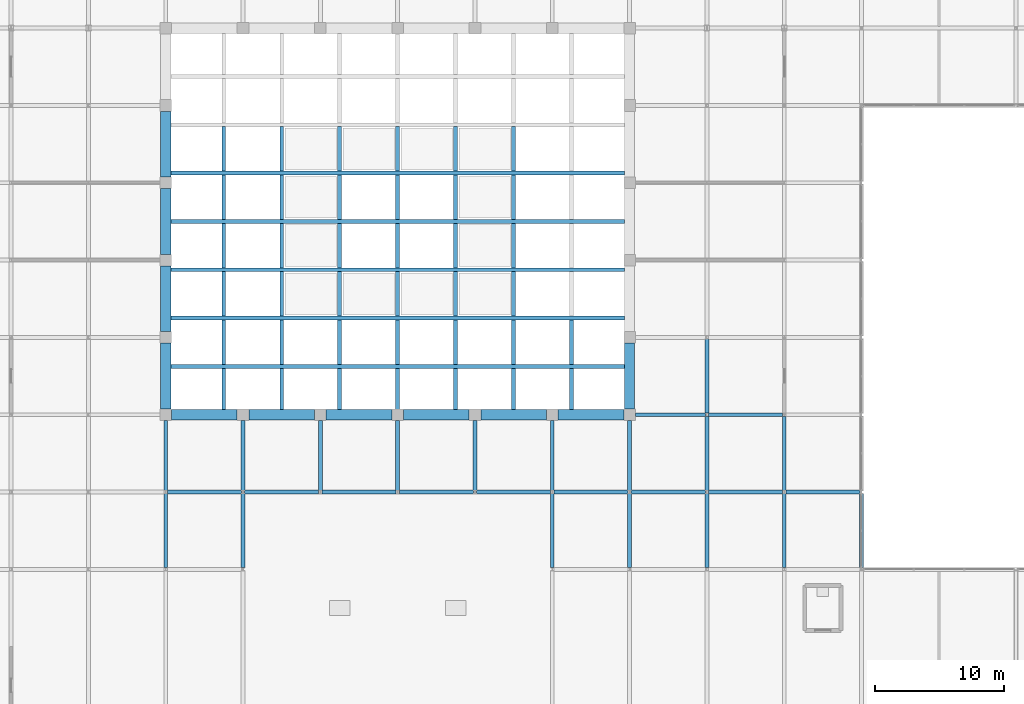
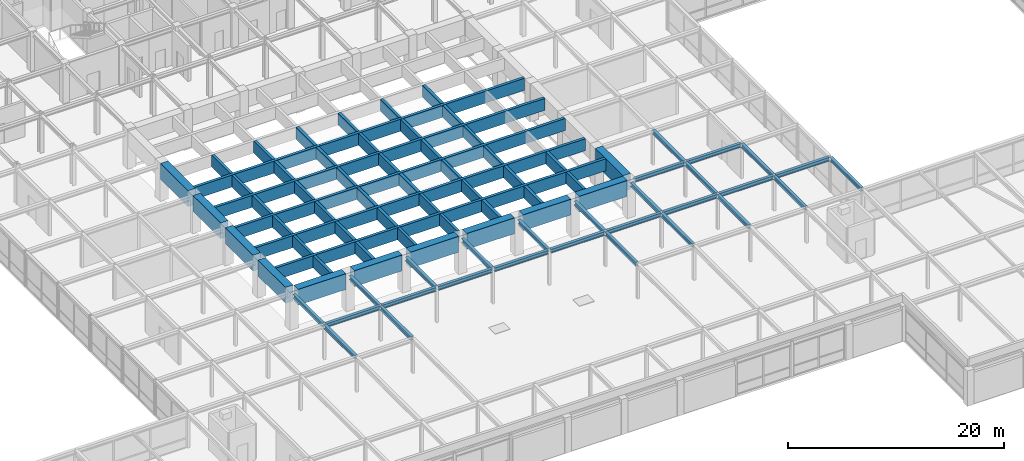
# One storey, part 64 of 111: 82 beams.
"""IFC4 building model written with IfcOpenShell, lengths in metres."""

from ifc_helpers import new_model, si_unit, direction, frame, origin, origin_2d, place, context, subcontext, project, spatial, rectangle, i_section, extrude, material, material_profile, profile_set, type_object, element, save


model = new_model("IFC4")

# Units and contexts
model_context = context("Model", 3, precision=1e-05, world=origin(), true_north=direction((0.0, 1.0)))
body_context = subcontext(model_context, "Body", "Model", "MODEL_VIEW")
ifc_project = project(units=[si_unit("LENGTHUNIT", "METRE"), si_unit("AREAUNIT", "SQUARE_METRE"), si_unit("VOLUMEUNIT", "CUBIC_METRE"), si_unit("PLANEANGLEUNIT", "RADIAN"), si_unit("MASSUNIT", "GRAM", prefix="KILO")], contexts=[model_context])

# Site, building, storey
site_placement = place(None, origin())
site = spatial("IfcSite", under=ifc_project, at=site_placement, CompositionType="ELEMENT")
building_placement = place(site_placement, origin())
building = spatial("IfcBuilding", under=site, at=building_placement, Name="Zlatovratsky Civic Hall", CompositionType="ELEMENT")
storey_placement = place(building_placement, frame((0.0, 0.0, 16.5)))
storey = spatial("IfcBuildingStorey", under=building, at=storey_placement, Name="L04", CompositionType="ELEMENT", Elevation=16.5)

# Beams
ifc_material_1 = material(Name="Concrete C35/45 (B40)", Category="concrete")
ifc_material_profile_1 = material_profile(ifc_material_1, rectangle(XDim=0.300048828125, YDim=1.35009765625, at=origin_2d()), Name="RC 300x1350")
ifc_profile_set_1 = profile_set([ifc_material_profile_1], Name="Concrete C35/45 (B40)")
beam_type_1 = type_object("IfcBeamType", Name="Beam_ChamberCofferRib_RC300x1350", PredefinedType="BEAM", material=ifc_profile_set_1)
for number, where, z_axis, x_axis, name in (
    (1, (66.39990234375, 45.75, 3.625), (1.0, 0.0, 0.0), (0.0, 1.0, 0.0), "BM-5331"),
    (2, (66.39990234375, 49.5, 3.625), (1.0, 0.0, 0.0), (0.0, 1.0, 0.0), "BM-5332"),
    (3, (66.39990234375, 53.25, 3.625), (1.0, 0.0, 0.0), (0.0, 1.0, 0.0), "BM-5333"),
    (4, (66.39990234375, 57.0, 3.625), (1.0, 0.0, 0.0), (0.0, 1.0, 0.0), "BM-5334"),
    (5, (66.39990234375, 60.75, 3.625), (1.0, 0.0, 0.0), (0.0, 1.0, 0.0), "BM-5335"),
):
    element("IfcBeam", number, at=place(storey_placement, frame(where, z_axis=z_axis, x_axis=x_axis)), inside=storey, type_object=beam_type_1, Name=name, PredefinedType="BEAM", context=body_context, shape_type="SweptSolid", body=[
        extrude(rectangle(XDim=0.300048828125, YDim=1.35009765625, at=origin_2d()), origin(), (0.0, 0.0, 1.0), 35.2001953125),
    ])
beam_1_placement = place(storey_placement, frame((70.5, 42.39990234375, 3.625), z_axis=(0.0, 1.0, 0.0), x_axis=(-1.0, 0.0, 0.0)))
element("IfcBeam", 6, at=beam_1_placement, inside=storey, type_object=beam_type_1, Name="BM-5338", PredefinedType="BEAM", context=body_context, shape_type="SweptSolid", body=[
    extrude(rectangle(XDim=0.300048828125, YDim=1.35009765625, at=origin_2d()), origin(), (0.0, 0.0, 1.0), 3.2001953125),
])
for number, where, z_axis, x_axis, name in (
    (7, (70.5, 45.89990234375, 3.625), (0.0, 1.0, 0.0), (-1.0, 0.0, 0.0), "BM-5339"),
    (8, (70.5, 49.64990234375, 3.625), (0.0, 1.0, 0.0), (-1.0, 0.0, 0.0), "BM-5340"),
    (9, (70.5, 53.39990234375, 3.625), (0.0, 1.0, 0.0), (-1.0, 0.0, 0.0), "BM-5341"),
    (10, (70.5, 57.14990234375, 3.625), (0.0, 1.0, 0.0), (-1.0, 0.0, 0.0), "BM-5342"),
    (11, (70.5, 60.89990234375, 3.625), (0.0, 1.0, 0.0), (-1.0, 0.0, 0.0), "BM-5343"),
):
    element("IfcBeam", number, at=place(storey_placement, frame(where, z_axis=z_axis, x_axis=x_axis)), inside=storey, type_object=beam_type_1, Name=name, PredefinedType="BEAM", context=body_context, shape_type="SweptSolid", body=[
        extrude(rectangle(XDim=0.300048828125, YDim=1.35009765625, at=origin_2d()), origin(), (0.0, 0.0, 1.0), 3.4501953125),
    ])
beam_2_placement = place(storey_placement, frame((75.0, 42.39990234375, 3.625), z_axis=(0.0, 1.0, 0.0), x_axis=(-1.0, 0.0, 0.0)))
element("IfcBeam", 12, at=beam_2_placement, inside=storey, type_object=beam_type_1, Name="BM-5346", PredefinedType="BEAM", context=body_context, shape_type="SweptSolid", body=[
    extrude(rectangle(XDim=0.300048828125, YDim=1.35009765625, at=origin_2d()), origin(), (0.0, 0.0, 1.0), 3.2001953125),
])
for number, where, z_axis, x_axis, name in (
    (13, (75.0, 45.89990234375, 3.625), (0.0, 1.0, 0.0), (-1.0, 0.0, 0.0), "BM-5347"),
    (14, (75.0, 49.64990234375, 3.625), (0.0, 1.0, 0.0), (-1.0, 0.0, 0.0), "BM-5348"),
    (15, (75.0, 53.39990234375, 3.625), (0.0, 1.0, 0.0), (-1.0, 0.0, 0.0), "BM-5349"),
    (16, (75.0, 57.14990234375, 3.625), (0.0, 1.0, 0.0), (-1.0, 0.0, 0.0), "BM-5350"),
    (17, (75.0, 60.89990234375, 3.625), (0.0, 1.0, 0.0), (-1.0, 0.0, 0.0), "BM-5351"),
):
    element("IfcBeam", number, at=place(storey_placement, frame(where, z_axis=z_axis, x_axis=x_axis)), inside=storey, type_object=beam_type_1, Name=name, PredefinedType="BEAM", context=body_context, shape_type="SweptSolid", body=[
        extrude(rectangle(XDim=0.300048828125, YDim=1.35009765625, at=origin_2d()), origin(), (0.0, 0.0, 1.0), 3.4501953125),
    ])
beam_3_placement = place(storey_placement, frame((79.5, 42.39990234375, 3.625), z_axis=(0.0, 1.0, 0.0), x_axis=(-1.0, 0.0, 0.0)))
element("IfcBeam", 18, at=beam_3_placement, inside=storey, type_object=beam_type_1, Name="BM-5354", PredefinedType="BEAM", context=body_context, shape_type="SweptSolid", body=[
    extrude(rectangle(XDim=0.300048828125, YDim=1.35009765625, at=origin_2d()), origin(), (0.0, 0.0, 1.0), 3.2001953125),
])
for number, where, z_axis, x_axis, name in (
    (19, (79.5, 45.89990234375, 3.625), (0.0, 1.0, 0.0), (-1.0, 0.0, 0.0), "BM-5355"),
    (20, (79.5, 49.64990234375, 3.625), (0.0, 1.0, 0.0), (-1.0, 0.0, 0.0), "BM-5356"),
    (21, (79.5, 53.39990234375, 3.625), (0.0, 1.0, 0.0), (-1.0, 0.0, 0.0), "BM-5357"),
    (22, (79.5, 57.14990234375, 3.625), (0.0, 1.0, 0.0), (-1.0, 0.0, 0.0), "BM-5358"),
    (23, (79.5, 60.89990234375, 3.625), (0.0, 1.0, 0.0), (-1.0, 0.0, 0.0), "BM-5359"),
):
    element("IfcBeam", number, at=place(storey_placement, frame(where, z_axis=z_axis, x_axis=x_axis)), inside=storey, type_object=beam_type_1, Name=name, PredefinedType="BEAM", context=body_context, shape_type="SweptSolid", body=[
        extrude(rectangle(XDim=0.300048828125, YDim=1.35009765625, at=origin_2d()), origin(), (0.0, 0.0, 1.0), 3.4501953125),
    ])
beam_4_placement = place(storey_placement, frame((84.0, 42.39990234375, 3.625), z_axis=(0.0, 1.0, 0.0), x_axis=(-1.0, 0.0, 0.0)))
element("IfcBeam", 24, at=beam_4_placement, inside=storey, type_object=beam_type_1, Name="BM-5362", PredefinedType="BEAM", context=body_context, shape_type="SweptSolid", body=[
    extrude(rectangle(XDim=0.300048828125, YDim=1.35009765625, at=origin_2d()), origin(), (0.0, 0.0, 1.0), 3.2001953125),
])
for number, where, z_axis, x_axis, name in (
    (25, (84.0, 45.89990234375, 3.625), (0.0, 1.0, 0.0), (-1.0, 0.0, 0.0), "BM-5363"),
    (26, (84.0, 49.64990234375, 3.625), (0.0, 1.0, 0.0), (-1.0, 0.0, 0.0), "BM-5364"),
    (27, (84.0, 53.39990234375, 3.625), (0.0, 1.0, 0.0), (-1.0, 0.0, 0.0), "BM-5365"),
    (28, (84.0, 57.14990234375, 3.625), (0.0, 1.0, 0.0), (-1.0, 0.0, 0.0), "BM-5366"),
    (29, (84.0, 60.89990234375, 3.625), (0.0, 1.0, 0.0), (-1.0, 0.0, 0.0), "BM-5367"),
):
    element("IfcBeam", number, at=place(storey_placement, frame(where, z_axis=z_axis, x_axis=x_axis)), inside=storey, type_object=beam_type_1, Name=name, PredefinedType="BEAM", context=body_context, shape_type="SweptSolid", body=[
        extrude(rectangle(XDim=0.300048828125, YDim=1.35009765625, at=origin_2d()), origin(), (0.0, 0.0, 1.0), 3.4501953125),
    ])
beam_5_placement = place(storey_placement, frame((88.5, 42.39990234375, 3.625), z_axis=(0.0, 1.0, 0.0), x_axis=(-1.0, 0.0, 0.0)))
element("IfcBeam", 30, at=beam_5_placement, inside=storey, type_object=beam_type_1, Name="BM-5370", PredefinedType="BEAM", context=body_context, shape_type="SweptSolid", body=[
    extrude(rectangle(XDim=0.300048828125, YDim=1.35009765625, at=origin_2d()), origin(), (0.0, 0.0, 1.0), 3.2001953125),
])
for number, where, z_axis, x_axis, name in (
    (31, (88.5, 45.89990234375, 3.625), (0.0, 1.0, 0.0), (-1.0, 0.0, 0.0), "BM-5371"),
    (32, (88.5, 49.64990234375, 3.625), (0.0, 1.0, 0.0), (-1.0, 0.0, 0.0), "BM-5372"),
    (33, (88.5, 53.39990234375, 3.625), (0.0, 1.0, 0.0), (-1.0, 0.0, 0.0), "BM-5373"),
    (34, (88.5, 57.14990234375, 3.625), (0.0, 1.0, 0.0), (-1.0, 0.0, 0.0), "BM-5374"),
    (35, (88.5, 60.89990234375, 3.625), (0.0, 1.0, 0.0), (-1.0, 0.0, 0.0), "BM-5375"),
):
    element("IfcBeam", number, at=place(storey_placement, frame(where, z_axis=z_axis, x_axis=x_axis)), inside=storey, type_object=beam_type_1, Name=name, PredefinedType="BEAM", context=body_context, shape_type="SweptSolid", body=[
        extrude(rectangle(XDim=0.300048828125, YDim=1.35009765625, at=origin_2d()), origin(), (0.0, 0.0, 1.0), 3.4501953125),
    ])
beam_6_placement = place(storey_placement, frame((93.0, 42.39990234375, 3.625), z_axis=(0.0, 1.0, 0.0), x_axis=(-1.0, 0.0, 0.0)))
element("IfcBeam", 36, at=beam_6_placement, inside=storey, type_object=beam_type_1, Name="BM-5378", PredefinedType="BEAM", context=body_context, shape_type="SweptSolid", body=[
    extrude(rectangle(XDim=0.300048828125, YDim=1.35009765625, at=origin_2d()), origin(), (0.0, 0.0, 1.0), 3.2001953125),
])
for number, where, z_axis, x_axis, name in (
    (37, (93.0, 45.89990234375, 3.625), (0.0, 1.0, 0.0), (-1.0, 0.0, 0.0), "BM-5379"),
    (38, (93.0, 49.64990234375, 3.625), (0.0, 1.0, 0.0), (-1.0, 0.0, 0.0), "BM-5380"),
    (39, (93.0, 53.39990234375, 3.625), (0.0, 1.0, 0.0), (-1.0, 0.0, 0.0), "BM-5381"),
    (40, (93.0, 57.14990234375, 3.625), (0.0, 1.0, 0.0), (-1.0, 0.0, 0.0), "BM-5382"),
    (41, (93.0, 60.89990234375, 3.625), (0.0, 1.0, 0.0), (-1.0, 0.0, 0.0), "BM-5383"),
):
    element("IfcBeam", number, at=place(storey_placement, frame(where, z_axis=z_axis, x_axis=x_axis)), inside=storey, type_object=beam_type_1, Name=name, PredefinedType="BEAM", context=body_context, shape_type="SweptSolid", body=[
        extrude(rectangle(XDim=0.300048828125, YDim=1.35009765625, at=origin_2d()), origin(), (0.0, 0.0, 1.0), 3.4501953125),
    ])
beam_7_placement = place(storey_placement, frame((97.5, 42.39990234375, 3.625), z_axis=(0.0, 1.0, 0.0), x_axis=(-1.0, 0.0, 0.0)))
element("IfcBeam", 42, at=beam_7_placement, inside=storey, type_object=beam_type_1, Name="BM-5386", PredefinedType="BEAM", context=body_context, shape_type="SweptSolid", body=[
    extrude(rectangle(XDim=0.300048828125, YDim=1.35009765625, at=origin_2d()), origin(), (0.0, 0.0, 1.0), 3.2001953125),
])
beam_8_placement = place(storey_placement, frame((97.5, 45.89990234375, 3.625), z_axis=(0.0, 1.0, 0.0), x_axis=(-1.0, 0.0, 0.0)))
element("IfcBeam", 43, at=beam_8_placement, inside=storey, type_object=beam_type_1, Name="BM-5387", PredefinedType="BEAM", context=body_context, shape_type="SweptSolid", body=[
    extrude(rectangle(XDim=0.300048828125, YDim=1.35009765625, at=origin_2d()), origin(), (0.0, 0.0, 1.0), 3.4501953125),
])
ifc_material_profile_2 = material_profile(ifc_material_1, rectangle(XDim=0.800048828125, YDim=1.800048828125, at=origin_2d()), Name="RC 800x1800")
ifc_profile_set_2 = profile_set([ifc_material_profile_2], Name="Concrete C35/45 (B40)")
beam_type_2 = type_object("IfcBeamType", Name="Beam_ChamberRing_RC800x1800", PredefinedType="BEAM", material=ifc_profile_set_2)
for number, where, z_axis, x_axis, name in (
    (44, (66.449951171875, 42.0, 3.39990234375), (1.0, 0.0, 0.0), (0.0, 1.0, 0.0), "BM-5309"),
    (45, (72.449951171875, 42.0, 3.39990234375), (1.0, 0.0, 0.0), (0.0, 1.0, 0.0), "BM-5310"),
    (46, (78.449951171875, 42.0, 3.39990234375), (1.0, 0.0, 0.0), (0.0, 1.0, 0.0), "BM-5311"),
    (47, (84.449951171875, 42.0, 3.39990234375), (1.0, 0.0, 0.0), (0.0, 1.0, 0.0), "BM-5312"),
    (48, (90.449951171875, 42.0, 3.39990234375), (1.0, 0.0, 0.0), (0.0, 1.0, 0.0), "BM-5313"),
    (49, (96.449951171875, 42.0, 3.39990234375), (1.0, 0.0, 0.0), (0.0, 1.0, 0.0), "BM-5314"),
    (50, (66.0, 42.449951171875, 3.39990234375), (0.0, 1.0, 0.0), (-1.0, 0.0, 0.0), "BM-5321"),
    (51, (66.0, 48.449951171875, 3.39990234375), (0.0, 1.0, 0.0), (-1.0, 0.0, 0.0), "BM-5322"),
    (52, (66.0, 54.449951171875, 3.39990234375), (0.0, 1.0, 0.0), (-1.0, 0.0, 0.0), "BM-5323"),
    (53, (66.0, 60.449951171875, 3.39990234375), (0.0, 1.0, 0.0), (-1.0, 0.0, 0.0), "BM-5324"),
    (54, (102.0, 42.449951171875, 3.39990234375), (0.0, 1.0, 0.0), (-1.0, 0.0, 0.0), "BM-5326"),
):
    element("IfcBeam", number, at=place(storey_placement, frame(where, z_axis=z_axis, x_axis=x_axis)), inside=storey, type_object=beam_type_2, Name=name, PredefinedType="BEAM", context=body_context, shape_type="SweptSolid", body=[
        extrude(rectangle(XDim=0.800048828125, YDim=1.800048828125, at=origin_2d()), origin(), (0.0, 0.0, 1.0), 5.10009765625),
    ])
ifc_material_2 = material(Name="Steel S355", Category="steel")
ifc_material_profile_3 = material_profile(ifc_material_2, i_section(OverallWidth=0.300048828125, OverallDepth=0.43994140625, WebThickness=0.010986328125, FlangeThickness=0.01806640625, FilletRadius=0.02197265625, at=origin_2d()), Name="45Sh1")
ifc_profile_set_3 = profile_set([ifc_material_profile_3], Name="Steel S355")
beam_type_3 = type_object("IfcBeamType", Name="Beam_TowerLow_45Sh1", PredefinedType="BEAM", material=ifc_profile_set_3)
for number, where, z_axis, x_axis, name in (
    (55, (66.125, 36.0, 3.780029296875), (1.0, 0.0, 0.0), (0.0, 1.0, 0.0), "BM-3279"),
    (56, (72.125, 36.0, 3.780029296875), (1.0, 0.0, 0.0), (0.0, 1.0, 0.0), "BM-3280"),
    (57, (78.125, 36.0, 3.780029296875), (1.0, 0.0, 0.0), (0.0, 1.0, 0.0), "BM-3281"),
    (58, (84.125, 36.0, 3.780029296875), (1.0, 0.0, 0.0), (0.0, 1.0, 0.0), "BM-3282"),
    (59, (90.125, 36.0, 3.780029296875), (1.0, 0.0, 0.0), (0.0, 1.0, 0.0), "BM-3283"),
    (60, (96.125, 36.0, 3.780029296875), (1.0, 0.0, 0.0), (0.0, 1.0, 0.0), "BM-3284"),
    (61, (102.125, 36.0, 3.780029296875), (1.0, 0.0, 0.0), (0.0, 1.0, 0.0), "BM-3285"),
    (62, (108.125, 36.0, 3.780029296875), (1.0, 0.0, 0.0), (0.0, 1.0, 0.0), "BM-3286"),
    (63, (114.125, 36.0, 3.780029296875), (1.0, 0.0, 0.0), (0.0, 1.0, 0.0), "BM-3287"),
):
    element("IfcBeam", number, at=place(storey_placement, frame(where, z_axis=z_axis, x_axis=x_axis)), inside=storey, type_object=beam_type_3, Name=name, PredefinedType="BEAM", context=body_context, shape_type="SweptSolid", body=[
        extrude(i_section(OverallWidth=0.300048828125, OverallDepth=0.43994140625, WebThickness=0.010986328125, FlangeThickness=0.01806640625, FilletRadius=0.02197265625, at=origin_2d()), origin(), (0.0, 0.0, 1.0), 5.75),
    ])
beam_9_placement = place(storey_placement, frame((102.449951171875, 42.0, 3.780029296875), z_axis=(1.0, 0.0, 0.0), x_axis=(0.0, 1.0, 0.0)))
element("IfcBeam", 64, at=beam_9_placement, inside=storey, type_object=beam_type_3, Name="BM-3295", PredefinedType="BEAM", context=body_context, shape_type="SweptSolid", body=[
    extrude(i_section(OverallWidth=0.300048828125, OverallDepth=0.43994140625, WebThickness=0.010986328125, FlangeThickness=0.01806640625, FilletRadius=0.02197265625, at=origin_2d()), origin(), (0.0, 0.0, 1.0), 5.425048828125),
])
for number, where, z_axis, x_axis, name in (
    (65, (108.125, 42.0, 3.780029296875), (1.0, 0.0, 0.0), (0.0, 1.0, 0.0), "BM-3296"),
    (66, (66.0, 30.125, 3.780029296875), (0.0, 1.0, 0.0), (-1.0, 0.0, 0.0), "BM-3637"),
):
    element("IfcBeam", number, at=place(storey_placement, frame(where, z_axis=z_axis, x_axis=x_axis)), inside=storey, type_object=beam_type_3, Name=name, PredefinedType="BEAM", context=body_context, shape_type="SweptSolid", body=[
        extrude(i_section(OverallWidth=0.300048828125, OverallDepth=0.43994140625, WebThickness=0.010986328125, FlangeThickness=0.01806640625, FilletRadius=0.02197265625, at=origin_2d()), origin(), (0.0, 0.0, 1.0), 5.75),
    ])
beam_10_placement = place(storey_placement, frame((66.0, 36.125, 3.780029296875), z_axis=(0.0, 1.0, 0.0), x_axis=(-1.0, 0.0, 0.0)))
element("IfcBeam", 67, at=beam_10_placement, inside=storey, type_object=beam_type_3, Name="BM-3638", PredefinedType="BEAM", context=body_context, shape_type="SweptSolid", body=[
    extrude(i_section(OverallWidth=0.300048828125, OverallDepth=0.43994140625, WebThickness=0.010986328125, FlangeThickness=0.01806640625, FilletRadius=0.02197265625, at=origin_2d()), origin(), (0.0, 0.0, 1.0), 5.425048828125),
])
beam_11_placement = place(storey_placement, frame((72.0, 30.125, 3.780029296875), z_axis=(0.0, 1.0, 0.0), x_axis=(-1.0, 0.0, 0.0)))
element("IfcBeam", 68, at=beam_11_placement, inside=storey, type_object=beam_type_3, Name="BM-3648", PredefinedType="BEAM", context=body_context, shape_type="SweptSolid", body=[
    extrude(i_section(OverallWidth=0.300048828125, OverallDepth=0.43994140625, WebThickness=0.010986328125, FlangeThickness=0.01806640625, FilletRadius=0.02197265625, at=origin_2d()), origin(), (0.0, 0.0, 1.0), 5.75),
])
for number, where, z_axis, x_axis, name in (
    (69, (72.0, 36.125, 3.780029296875), (0.0, 1.0, 0.0), (-1.0, 0.0, 0.0), "BM-3649"),
    (70, (78.0, 36.125, 3.780029296875), (0.0, 1.0, 0.0), (-1.0, 0.0, 0.0), "BM-3658"),
    (71, (84.0, 36.125, 3.780029296875), (0.0, 1.0, 0.0), (-1.0, 0.0, 0.0), "BM-3667"),
    (72, (90.0, 36.125, 3.780029296875), (0.0, 1.0, 0.0), (-1.0, 0.0, 0.0), "BM-3676"),
):
    element("IfcBeam", number, at=place(storey_placement, frame(where, z_axis=z_axis, x_axis=x_axis)), inside=storey, type_object=beam_type_3, Name=name, PredefinedType="BEAM", context=body_context, shape_type="SweptSolid", body=[
        extrude(i_section(OverallWidth=0.300048828125, OverallDepth=0.43994140625, WebThickness=0.010986328125, FlangeThickness=0.01806640625, FilletRadius=0.02197265625, at=origin_2d()), origin(), (0.0, 0.0, 1.0), 5.425048828125),
    ])
beam_12_placement = place(storey_placement, frame((96.0, 30.125, 3.780029296875), z_axis=(0.0, 1.0, 0.0), x_axis=(-1.0, 0.0, 0.0)))
element("IfcBeam", 73, at=beam_12_placement, inside=storey, type_object=beam_type_3, Name="BM-3686", PredefinedType="BEAM", context=body_context, shape_type="SweptSolid", body=[
    extrude(i_section(OverallWidth=0.300048828125, OverallDepth=0.43994140625, WebThickness=0.010986328125, FlangeThickness=0.01806640625, FilletRadius=0.02197265625, at=origin_2d()), origin(), (0.0, 0.0, 1.0), 5.75),
])
beam_13_placement = place(storey_placement, frame((96.0, 36.125, 3.780029296875), z_axis=(0.0, 1.0, 0.0), x_axis=(-1.0, 0.0, 0.0)))
element("IfcBeam", 74, at=beam_13_placement, inside=storey, type_object=beam_type_3, Name="BM-3687", PredefinedType="BEAM", context=body_context, shape_type="SweptSolid", body=[
    extrude(i_section(OverallWidth=0.300048828125, OverallDepth=0.43994140625, WebThickness=0.010986328125, FlangeThickness=0.01806640625, FilletRadius=0.02197265625, at=origin_2d()), origin(), (0.0, 0.0, 1.0), 5.425048828125),
])
beam_14_placement = place(storey_placement, frame((102.0, 30.125, 3.780029296875), z_axis=(0.0, 1.0, 0.0), x_axis=(-1.0, 0.0, 0.0)))
element("IfcBeam", 75, at=beam_14_placement, inside=storey, type_object=beam_type_3, Name="BM-3697", PredefinedType="BEAM", context=body_context, shape_type="SweptSolid", body=[
    extrude(i_section(OverallWidth=0.300048828125, OverallDepth=0.43994140625, WebThickness=0.010986328125, FlangeThickness=0.01806640625, FilletRadius=0.02197265625, at=origin_2d()), origin(), (0.0, 0.0, 1.0), 5.75),
])
beam_15_placement = place(storey_placement, frame((102.0, 36.125, 3.780029296875), z_axis=(0.0, 1.0, 0.0), x_axis=(-1.0, 0.0, 0.0)))
element("IfcBeam", 76, at=beam_15_placement, inside=storey, type_object=beam_type_3, Name="BM-3698", PredefinedType="BEAM", context=body_context, shape_type="SweptSolid", body=[
    extrude(i_section(OverallWidth=0.300048828125, OverallDepth=0.43994140625, WebThickness=0.010986328125, FlangeThickness=0.01806640625, FilletRadius=0.02197265625, at=origin_2d()), origin(), (0.0, 0.0, 1.0), 5.425048828125),
])
for number, where, z_axis, x_axis, name in (
    (77, (108.0, 30.125, 3.780029296875), (0.0, 1.0, 0.0), (-1.0, 0.0, 0.0), "BM-3708"),
    (78, (108.0, 36.125, 3.780029296875), (0.0, 1.0, 0.0), (-1.0, 0.0, 0.0), "BM-3709"),
    (79, (108.0, 42.125, 3.780029296875), (0.0, 1.0, 0.0), (-1.0, 0.0, 0.0), "BM-3710"),
    (80, (114.0, 30.125, 3.780029296875), (0.0, 1.0, 0.0), (-1.0, 0.0, 0.0), "BM-3725"),
    (81, (114.0, 36.125, 3.780029296875), (0.0, 1.0, 0.0), (-1.0, 0.0, 0.0), "BM-3726"),
    (82, (120.0, 30.125, 3.780029296875), (0.0, 1.0, 0.0), (-1.0, 0.0, 0.0), "BM-3742"),
):
    element("IfcBeam", number, at=place(storey_placement, frame(where, z_axis=z_axis, x_axis=x_axis)), inside=storey, type_object=beam_type_3, Name=name, PredefinedType="BEAM", context=body_context, shape_type="SweptSolid", body=[
        extrude(i_section(OverallWidth=0.300048828125, OverallDepth=0.43994140625, WebThickness=0.010986328125, FlangeThickness=0.01806640625, FilletRadius=0.02197265625, at=origin_2d()), origin(), (0.0, 0.0, 1.0), 5.75),
    ])

save(model, "model.ifc")
